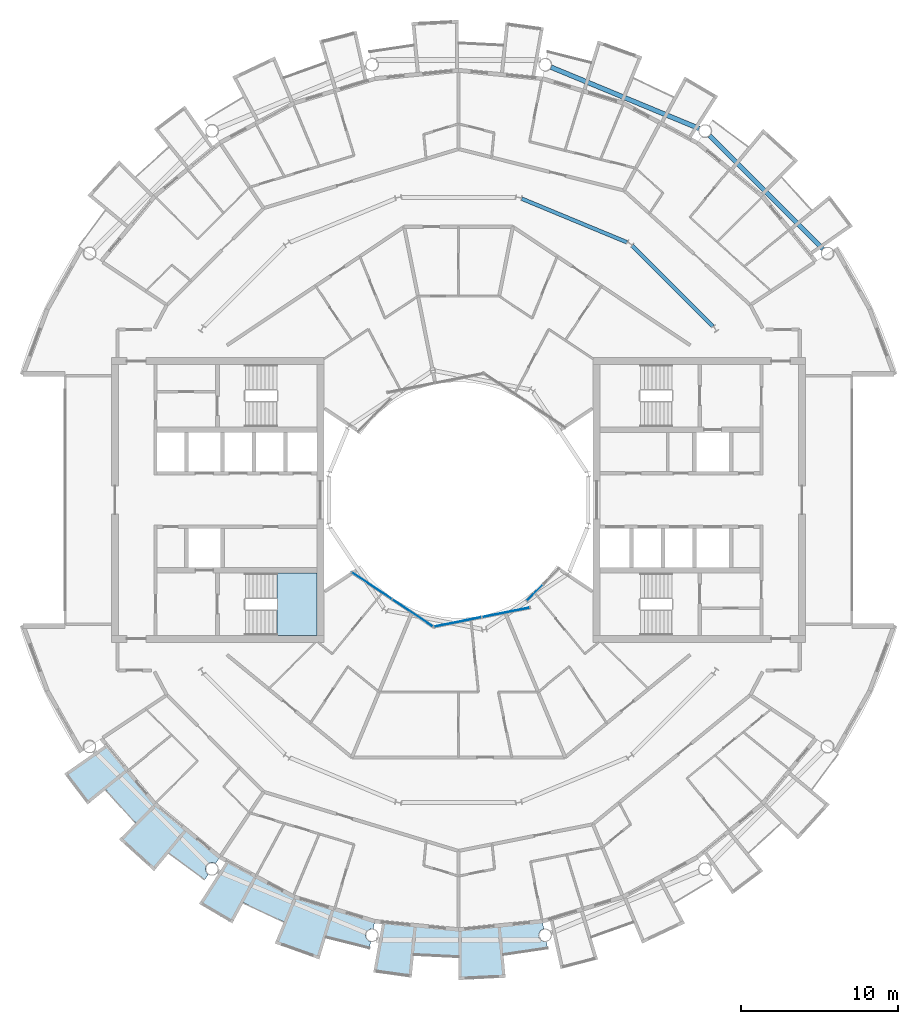
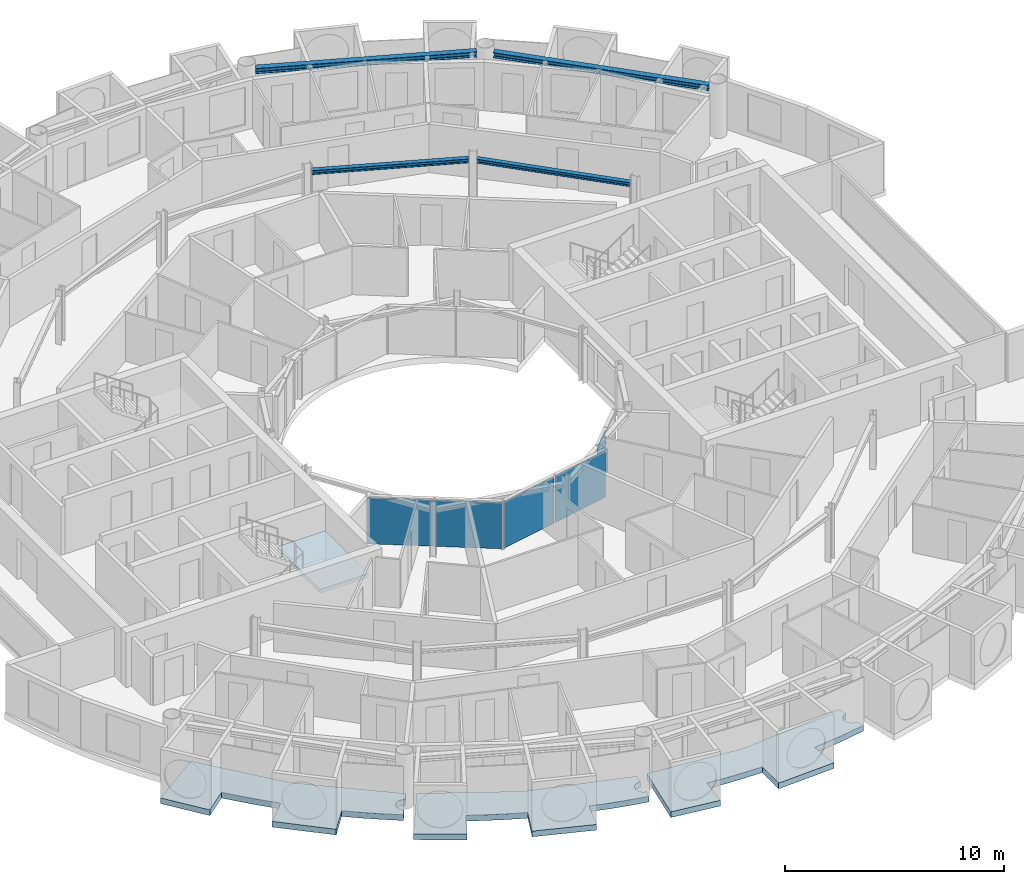
# One storey, part 11 of 27: 5 plates, 4 beams, 4 slabs, 4 elements without a shape of their own.
"""IFC4 building model written with IfcOpenShell, lengths in metres."""

from ifc_helpers import new_model, si_unit, direction, frame, origin, origin_2d, place, context, subcontext, project, spatial, polyline, rectangle, i_section, outline, extrude, material, layer, layer_set, material_profile, profile_set, type_object, element, aggregate, save


model = new_model("IFC4")

# Units and contexts
model_context = context("Model", 3, precision=1e-05, world=origin(), true_north=direction((0.0, 1.0)))
body_context = subcontext(model_context, "Body", "Model", "MODEL_VIEW")
ifc_project = project(units=[si_unit("LENGTHUNIT", "METRE"), si_unit("AREAUNIT", "SQUARE_METRE"), si_unit("VOLUMEUNIT", "CUBIC_METRE"), si_unit("PLANEANGLEUNIT", "RADIAN"), si_unit("MASSUNIT", "GRAM", prefix="KILO")], contexts=[model_context])

# Site, building, storey
site_placement = place(None, origin())
site = spatial("IfcSite", under=ifc_project, at=site_placement, CompositionType="ELEMENT")
building_placement = place(site_placement, origin())
building = spatial("IfcBuilding", under=site, at=building_placement, Name="Maasbend Ring Residences", CompositionType="ELEMENT")
storey_placement = place(building_placement, frame((0.0, 0.0, 199.35009765625)))
storey = spatial("IfcBuildingStorey", under=building, at=storey_placement, Name="L57", CompositionType="ELEMENT", Elevation=199.35009765625)

# Beams
ifc_material_1 = material(Name="Steel S355J2", Category="steel")
ifc_material_profile_1 = material_profile(ifc_material_1, i_section(OverallWidth=0.239990234375, OverallDepth=0.22998046875, WebThickness=0.007568359375, FlangeThickness=0.011962890625, FilletRadius=0.02099609375, at=origin_2d()), Name="HEA 240")
ifc_profile_set_1 = profile_set([ifc_material_profile_1], Name="Steel S355J2")
beam_type_1 = type_object("IfcBeamType", Name="Corridor ring beam HEA 240", PredefinedType="BEAM", material=ifc_profile_set_1)
beam_1_placement = place(storey_placement, frame((16.152587890625, 11.033447265625, 2.5849609375), z_axis=(-0.707106781187, 0.707106781187, 0.0), x_axis=(-0.707106781187, -0.707106781187, 0.0)))
element("IfcBeam", 1, at=beam_1_placement, inside=storey, type_object=beam_type_1, Name="Corridor ring beam", PredefinedType="BEAM", context=body_context, shape_type="SweptSolid", body=[
    extrude(i_section(OverallWidth=0.239990234375, OverallDepth=0.22998046875, WebThickness=0.007568359375, FlangeThickness=0.011962890625, FilletRadius=0.02099609375, at=origin_2d()), origin(), (0.0, 0.0, 1.0), 7.239501953125),
])
beam_2_placement = place(storey_placement, frame((10.70068359375, 16.374755859375, 2.5849609375), z_axis=(-0.923865162022, 0.382718123952, 0.0), x_axis=(-0.382718123952, -0.923865162022, 0.0)))
element("IfcBeam", 2, at=beam_2_placement, inside=storey, type_object=beam_type_1, Name="Corridor ring beam", PredefinedType="BEAM", context=body_context, shape_type="SweptSolid", body=[
    extrude(i_section(OverallWidth=0.239990234375, OverallDepth=0.22998046875, WebThickness=0.007568359375, FlangeThickness=0.011962890625, FilletRadius=0.02099609375, at=origin_2d()), origin(), (0.0, 0.0, 1.0), 7.23974609375),
])
ifc_material_2 = material(Name="Steel S355J2", Category="steel")
ifc_material_profile_2 = material_profile(ifc_material_2, i_section(OverallWidth=0.300048828125, OverallDepth=0.300048828125, WebThickness=0.010986328125, FlangeThickness=0.01904296875, FilletRadius=0.027099609375, at=origin_2d()), Name="HEB 300")
ifc_profile_set_2 = profile_set([ifc_material_profile_2], Name="Steel S355J2")
beam_type_2 = type_object("IfcBeamType", Name="Spandrel ring beam HEB 300", PredefinedType="SPANDREL", material=ifc_profile_set_2)
for number, where, z_axis, x_axis, name in (
    (3, (23.159912109375, 15.95458984375, 2.5498046875), (-0.707106781187, 0.707106781187, 0.0), (-0.707106781187, -0.707106781187, 0.0), "Spandrel ring beam"),
    (4, (15.29150390625, 23.60302734375, 2.5498046875), (-0.923883676188, 0.382673428492, 0.0), (-0.382673428492, -0.923883676188, 0.0), "Spandrel ring beam"),
):
    element("IfcBeam", number, at=place(storey_placement, frame(where, z_axis=z_axis, x_axis=x_axis)), inside=storey, type_object=beam_type_2, Name=name, PredefinedType="SPANDREL", context=body_context, shape_type="SweptSolid", body=[
        extrude(i_section(OverallWidth=0.300048828125, OverallDepth=0.300048828125, WebThickness=0.010986328125, FlangeThickness=0.01904296875, FilletRadius=0.027099609375, at=origin_2d()), origin(), (0.0, 0.0, 1.0), 10.18994140625),
    ])

# Stair, slab
ifc_material_3 = material(Name="Concrete C40/50", Category="concrete")
stair_type = type_object("IfcStairType", Name="CORE STAIR 18 RISERS", PredefinedType="HALF_TURN_STAIR", material=ifc_material_3)
stair_placement = place(storey_placement, origin())
stair = element("IfcStair", 5, at=stair_placement, inside=storey, type_object=stair_type, Name="L57 Exit stair ST-W1", PredefinedType="HALF_TURN_STAIR")
ifc_material_4 = material(Name="Concrete C40/50", Category="concrete")
ifc_layer_1 = layer(ifc_material_4, 0.199951171875)
ifc_layer_set_1 = layer_set([ifc_layer_1], Name="Concrete C40/50")
slab_type_1 = type_object("IfcSlabType", Name="CORE STAIR LANDING 200", PredefinedType="LANDING", material=ifc_layer_set_1)
slab_1_placement = place(storey_placement, frame((0.0, 0.0, 1.324951171875)))
slab_1 = element("IfcSlab", 6, at=slab_1_placement, type_object=slab_type_1, Name="ST-W1 landing 1", PredefinedType="LANDING", context=body_context, shape_type="SweptSolid", body=[
    extrude(outline(polyline([(-11.550048828125, -8.60009765625), (-9.0, -8.60009765625), (-9.0, -4.64990234375), (-11.550048828125, -4.64990234375), (-11.550048828125, -8.60009765625)])), origin(), (0.0, 0.0, 1.0), 0.199951171875),
])
aggregate(stair, [slab_1])

# Curtain wall, plates
ifc_material_5 = material(Name="Aluminium and clear glass", Category="aluminium")
ifc_layer_2 = layer(ifc_material_5, 0.179931640625)
ifc_layer_set_2 = layer_set([ifc_layer_2], Name="CW-W")
curtain_wall_type = type_object("IfcCurtainWallType", Name="CW-W", PredefinedType="NOTDEFINED", material=ifc_layer_set_2)
curtain_wall_1_placement = place(storey_placement, origin())
curtain_wall_1 = element("IfcCurtainWall", 7, at=curtain_wall_1_placement, inside=storey, type_object=curtain_wall_type, Name="Well curtain wall S1", PredefinedType="NOTDEFINED")
ifc_material_6 = material(Name="Glass clear laminated", Category="glass")
ifc_layer_3 = layer(ifc_material_6, 0.031982421875)
ifc_layer_set_3 = layer_set([ifc_layer_3], Name="CWP-W")
plate_type = type_object("IfcPlateType", Name="CWP-W", PredefinedType="CURTAIN_PANEL", material=ifc_layer_set_3)
plate_1_placement = place(storey_placement, frame((-5.51123046875, -5.44580078125, -0.000244140625), z_axis=(0.0, 0.0, 1.0), x_axis=(0.831469612303, -0.55557023302, 0.0)))
plate_1 = element("IfcPlate", 8, at=plate_1_placement, type_object=plate_type, Name="Glass panel well face", PredefinedType="CURTAIN_PANEL", context=body_context, shape_type="SweptSolid", body=[
    extrude(rectangle(XDim=3.053955078125, YDim=0.031982421875, at=origin_2d()), origin(), (0.0, 0.0, 1.0), 2.580078125),
])
plate_2_placement = place(storey_placement, frame((-2.922119140625, -7.17578125, -0.000244140625), z_axis=(0.0, 0.0, 1.0), x_axis=(0.831469612303, -0.55557023302, 0.0)))
plate_2 = element("IfcPlate", 9, at=plate_2_placement, type_object=plate_type, Name="Glass panel well face", PredefinedType="CURTAIN_PANEL", context=body_context, shape_type="SweptSolid", body=[
    extrude(rectangle(XDim=3.053955078125, YDim=0.031982421875, at=origin_2d()), origin(), (0.0, 0.0, 1.0), 2.580078125),
])
aggregate(curtain_wall_1, [plate_1, plate_2])

curtain_wall_2_placement = place(storey_placement, origin())
curtain_wall_2 = element("IfcCurtainWall", 10, at=curtain_wall_2_placement, inside=storey, type_object=curtain_wall_type, Name="Well curtain wall S2", PredefinedType="NOTDEFINED")
plate_3_placement = place(storey_placement, frame((-0.04638671875, -7.747802734375, -0.000244140625), z_axis=(0.0, 0.0, 1.0), x_axis=(0.980785280403, 0.195090322016, 0.0)))
plate_3 = element("IfcPlate", 11, at=plate_3_placement, type_object=plate_type, Name="Glass panel well face", PredefinedType="CURTAIN_PANEL", context=body_context, shape_type="SweptSolid", body=[
    extrude(rectangle(XDim=3.053955078125, YDim=0.031982421875, at=origin_2d()), origin(), (0.0, 0.0, 1.0), 2.580078125),
])
plate_4_placement = place(storey_placement, frame((3.0078125, -7.140380859375, -0.000244140625), z_axis=(0.0, 0.0, 1.0), x_axis=(0.980785280403, 0.195090322016, 0.0)))
plate_4 = element("IfcPlate", 12, at=plate_4_placement, type_object=plate_type, Name="Glass panel well face", PredefinedType="CURTAIN_PANEL", context=body_context, shape_type="SweptSolid", body=[
    extrude(rectangle(XDim=3.053955078125, YDim=0.031982421875, at=origin_2d()), origin(), (0.0, 0.0, 1.0), 2.580078125),
])
aggregate(curtain_wall_2, [plate_3, plate_4])

# Curtain wall, plate
curtain_wall_3_placement = place(storey_placement, origin())
curtain_wall_3 = element("IfcCurtainWall", 13, at=curtain_wall_3_placement, inside=storey, type_object=curtain_wall_type, Name="Well curtain wall S3", PredefinedType="NOTDEFINED")
plate_5_placement = place(storey_placement, frame((4.84375, -5.89013671875, -0.000244140625), z_axis=(0.0, 0.0, 1.0), x_axis=(0.707106781187, 0.707106781187, 0.0)))
plate_5 = element("IfcPlate", 14, at=plate_5_placement, type_object=plate_type, Name="Glass panel well face", PredefinedType="CURTAIN_PANEL", context=body_context, shape_type="SweptSolid", body=[
    extrude(rectangle(XDim=1.419677734375, YDim=0.031982421875, at=origin_2d()), origin(), (0.0, 0.0, 1.0), 2.580078125),
])
aggregate(curtain_wall_3, [plate_5])

# Slabs
ifc_material_7 = material(Name="Concrete C40/50", Category="concrete")
ifc_layer_4 = layer(ifc_material_7, 0.199951171875)
ifc_layer_set_4 = layer_set([ifc_layer_4], Name="Concrete C40/50")
slab_type_2 = type_object("IfcSlabType", Name="SL-LOGGIA", PredefinedType="FLOOR", material=ifc_layer_set_4)
slab_2_placement = place(storey_placement, frame((0.0, 0.0, -0.35009765625)))
element("IfcSlab", 15, at=slab_2_placement, inside=storey, type_object=slab_type_2, Name="Loggia floor 2", PredefinedType="FLOOR", context=body_context, shape_type="SweptSolid", body=[
    extrude(outline(polyline([(-12.806884765625, -23.9609375), (-10.447021484375, -25.221923828125), (-10.447021484375, -25.221923828125), (-10.447021484375, -25.221923828125), (-7.886962890625, -25.9990234375), (-5.325927734375, -26.77490234375), (-5.325927734375, -26.77490234375), (-5.325927734375, -26.77490234375), (-5.422119140625, -27.259033203125), (-5.431884765625, -27.258056640625), (-5.44189453125, -27.256103515625), (-5.451904296875, -27.2548828125), (-5.4619140625, -27.25390625), (-5.471923828125, -27.2529296875), (-5.48193359375, -27.251953125), (-5.491943359375, -27.251953125), (-5.501953125, -27.251953125), (-5.510986328125, -27.251953125), (-5.52099609375, -27.251953125), (-5.531005859375, -27.2529296875), (-5.541015625, -27.25390625), (-5.551025390625, -27.2548828125), (-5.56103515625, -27.256103515625), (-5.571044921875, -27.258056640625), (-5.5810546875, -27.259033203125), (-5.591064453125, -27.260986328125), (-5.60009765625, -27.263916015625), (-5.610107421875, -27.26611328125), (-5.6201171875, -27.26904296875), (-5.62890625, -27.27197265625), (-5.637939453125, -27.27490234375), (-5.64794921875, -27.279052734375), (-5.656982421875, -27.282958984375), (-5.666015625, -27.285888671875), (-5.675048828125, -27.291015625), (-5.68408203125, -27.294921875), (-5.693115234375, -27.300048828125), (-5.701904296875, -27.303955078125), (-5.7099609375, -27.30908203125), (-5.718994140625, -27.31494140625), (-5.72705078125, -27.320068359375), (-5.736083984375, -27.325927734375), (-5.743896484375, -27.33203125), (-5.751953125, -27.337890625), (-5.759033203125, -27.343994140625), (-5.76708984375, -27.35009765625), (-5.77392578125, -27.35693359375), (-5.781982421875, -27.364013671875), (-5.7890625, -27.37109375), (-5.7958984375, -27.3779296875), (-5.802978515625, -27.385009765625), (-5.80908203125, -27.39306640625), (-5.81591796875, -27.39990234375), (-5.822021484375, -27.407958984375), (-5.827880859375, -27.416015625), (-5.833984375, -27.424072265625), (-5.839111328125, -27.431884765625), (-5.844970703125, -27.44091796875), (-5.85009765625, -27.448974609375), (-5.85498046875, -27.4580078125), (-5.860107421875, -27.466064453125), (-5.864990234375, -27.47509765625), (-5.868896484375, -27.48388671875), (-5.873046875, -27.492919921875), (-5.876953125, -27.5029296875), (-5.881103515625, -27.511962890625), (-5.884033203125, -27.52099609375), (-5.886962890625, -27.531005859375), (-5.889892578125, -27.5400390625), (-5.89306640625, -27.550048828125), (-5.89599609375, -27.55908203125), (-5.89794921875, -27.569091796875), (-5.89990234375, -27.5791015625), (-5.902099609375, -27.589111328125), (-5.904052734375, -27.597900390625), (-5.905029296875, -27.60791015625), (-5.906005859375, -27.617919921875), (-5.906982421875, -27.6279296875), (-5.907958984375, -27.637939453125), (-5.907958984375, -27.64794921875), (-5.907958984375, -27.657958984375), (-5.907958984375, -27.66796875), (-5.907958984375, -27.677978515625), (-5.906982421875, -27.68798828125), (-5.906005859375, -27.697998046875), (-5.905029296875, -27.7080078125), (-5.904052734375, -27.718017578125), (-5.902099609375, -27.72802734375), (-5.89990234375, -27.737060546875), (-5.89794921875, -27.7470703125), (-5.89599609375, -27.757080078125), (-5.89306640625, -27.76708984375), (-5.889892578125, -27.77587890625), (-5.886962890625, -27.785888671875), (-5.884033203125, -27.794921875), (-5.881103515625, -27.803955078125), (-5.876953125, -27.81396484375), (-5.873046875, -27.822998046875), (-5.868896484375, -27.83203125), (-5.864990234375, -27.841064453125), (-5.860107421875, -27.85009765625), (-5.85498046875, -27.85791015625), (-5.85009765625, -27.866943359375), (-5.844970703125, -27.8759765625), (-5.839111328125, -27.884033203125), (-5.833984375, -27.89208984375), (-5.827880859375, -27.89990234375), (-5.822021484375, -27.907958984375), (-5.81591796875, -27.916015625), (-5.80908203125, -27.924072265625), (-5.802978515625, -27.930908203125), (-5.7958984375, -27.93798828125), (-5.7890625, -27.946044921875), (-5.781982421875, -27.952880859375), (-5.77392578125, -27.958984375), (-5.76708984375, -27.966064453125), (-5.759033203125, -27.971923828125), (-5.751953125, -27.97900390625), (-5.743896484375, -27.985107421875), (-5.736083984375, -27.989990234375), (-5.72705078125, -27.99609375), (-5.718994140625, -28.001953125), (-5.7099609375, -28.007080078125), (-5.701904296875, -28.011962890625), (-5.693115234375, -28.01708984375), (-5.68408203125, -28.02099609375), (-5.675048828125, -28.02587890625), (-5.666015625, -28.030029296875), (-5.656982421875, -28.033935546875), (-5.64794921875, -28.037109375), (-5.637939453125, -28.041015625), (-5.62890625, -28.0439453125), (-5.6201171875, -28.047119140625), (-5.610107421875, -28.050048828125), (-5.60009765625, -28.052001953125), (-5.591064453125, -28.054931640625), (-5.5810546875, -28.056884765625), (-5.657958984375, -28.443115234375), (-5.657958984375, -28.443115234375), (-5.657958984375, -28.443115234375), (-6.5849609375, -28.241943359375), (-6.5849609375, -28.241943359375), (-7.506103515625, -28.011962890625), (-7.506103515625, -28.011962890625), (-8.41796875, -27.7509765625), (-8.41796875, -27.7509765625), (-8.41796875, -27.7509765625), (-8.41796875, -27.7509765625), (-8.41796875, -27.7509765625), (-8.41796875, -27.7509765625), (-8.41796875, -27.7509765625), (-8.41796875, -27.7509765625), (-8.41796875, -27.7509765625), (-8.41796875, -27.7509765625), (-8.41796875, -27.751953125), (-8.41796875, -27.751953125), (-8.41796875, -27.751953125), (-8.41796875, -27.751953125), (-8.41796875, -27.751953125), (-8.41796875, -27.751953125), (-8.41796875, -27.751953125), (-8.85400390625, -29.18701171875), (-8.85400390625, -29.18701171875), (-8.85400390625, -29.18701171875), (-11.672119140625, -28.177978515625), (-11.672119140625, -28.177978515625), (-11.672119140625, -28.177978515625), (-11.097900390625, -26.79296875), (-11.097900390625, -26.79296875), (-11.097900390625, -26.79296875), (-11.097900390625, -26.79296875), (-11.097900390625, -26.79296875), (-11.097900390625, -26.79296875), (-11.097900390625, -26.79296875), (-11.097900390625, -26.79296875), (-11.097900390625, -26.79296875), (-11.097900390625, -26.79296875), (-11.097900390625, -26.7919921875), (-11.097900390625, -26.7919921875), (-11.097900390625, -26.7919921875), (-11.097900390625, -26.7919921875), (-11.097900390625, -26.7919921875), (-11.097900390625, -26.7919921875), (-11.097900390625, -26.7919921875), (-11.968994140625, -26.4150390625), (-11.968994140625, -26.4150390625), (-12.825927734375, -26.009033203125), (-12.825927734375, -26.009033203125), (-13.669921875, -25.575927734375), (-13.669921875, -25.575927734375), (-13.669921875, -25.575927734375), (-13.669921875, -25.575927734375), (-13.669921875, -25.575927734375), (-13.669921875, -25.575927734375), (-13.669921875, -25.575927734375), (-13.669921875, -25.575927734375), (-13.669921875, -25.575927734375), (-13.669921875, -25.575927734375), (-13.6708984375, -25.575927734375), (-13.6708984375, -25.575927734375), (-13.6708984375, -25.575927734375), (-13.6708984375, -25.575927734375), (-13.6708984375, -25.575927734375), (-13.6708984375, -25.575927734375), (-13.6708984375, -25.575927734375), (-14.3779296875, -26.89892578125), (-14.3779296875, -26.89892578125), (-14.3779296875, -26.89892578125), (-16.487060546875, -25.659912109375), (-16.487060546875, -25.659912109375), (-16.487060546875, -25.659912109375), (-14.73291015625, -22.930908203125), (-14.73291015625, -22.930908203125), (-14.73291015625, -22.930908203125), (-12.806884765625, -23.9609375)])), origin(), (0.0, 0.0, 1.0), 0.320068359375),
])
slab_3_placement = place(storey_placement, frame((0.0, 0.0, -0.35009765625)))
element("IfcSlab", 16, at=slab_3_placement, inside=storey, type_object=slab_type_2, Name="Loggia floor 3", PredefinedType="FLOOR", context=body_context, shape_type="SweptSolid", body=[
    extrude(outline(polyline([(-2.6630859375, -27.0380859375), (0.0, -27.300048828125), (0.0, -27.300048828125), (0.0, -27.300048828125), (2.6630859375, -27.0380859375), (5.325927734375, -26.77490234375), (5.325927734375, -26.77490234375), (5.325927734375, -26.77490234375), (5.422119140625, -27.259033203125), (5.422119140625, -27.259033203125), (5.412109375, -27.260986328125), (5.403076171875, -27.263916015625), (5.39306640625, -27.26611328125), (5.383056640625, -27.26904296875), (5.3740234375, -27.27197265625), (5.364990234375, -27.27490234375), (5.35498046875, -27.279052734375), (5.345947265625, -27.282958984375), (5.3369140625, -27.285888671875), (5.327880859375, -27.291015625), (5.319091796875, -27.294921875), (5.31005859375, -27.300048828125), (5.301025390625, -27.303955078125), (5.29296875, -27.30908203125), (5.283935546875, -27.31494140625), (5.27587890625, -27.320068359375), (5.26708984375, -27.325927734375), (5.259033203125, -27.33203125), (5.2509765625, -27.337890625), (5.243896484375, -27.343994140625), (5.236083984375, -27.35009765625), (5.22900390625, -27.35693359375), (5.220947265625, -27.364013671875), (5.214111328125, -27.37109375), (5.20703125, -27.3779296875), (5.199951171875, -27.385009765625), (5.194091796875, -27.39306640625), (5.18701171875, -27.39990234375), (5.180908203125, -27.407958984375), (5.175048828125, -27.416015625), (5.1689453125, -27.424072265625), (5.1640625, -27.431884765625), (5.157958984375, -27.44091796875), (5.153076171875, -27.448974609375), (5.14794921875, -27.4580078125), (5.14306640625, -27.466064453125), (5.137939453125, -27.47509765625), (5.134033203125, -27.48388671875), (5.1298828125, -27.492919921875), (5.1259765625, -27.5029296875), (5.1220703125, -27.511962890625), (5.118896484375, -27.52099609375), (5.115966796875, -27.531005859375), (5.113037109375, -27.5400390625), (5.110107421875, -27.550048828125), (5.10693359375, -27.55908203125), (5.10498046875, -27.569091796875), (5.10302734375, -27.5791015625), (5.10107421875, -27.589111328125), (5.09912109375, -27.597900390625), (5.097900390625, -27.60791015625), (5.096923828125, -27.617919921875), (5.095947265625, -27.6279296875), (5.094970703125, -27.637939453125), (5.094970703125, -27.64794921875), (5.094970703125, -27.657958984375), (5.094970703125, -27.66796875), (5.094970703125, -27.677978515625), (5.095947265625, -27.68798828125), (5.096923828125, -27.697998046875), (5.097900390625, -27.7080078125), (5.09912109375, -27.718017578125), (5.10107421875, -27.72802734375), (5.10302734375, -27.737060546875), (5.10498046875, -27.7470703125), (5.10693359375, -27.757080078125), (5.110107421875, -27.76708984375), (5.113037109375, -27.77587890625), (5.115966796875, -27.785888671875), (5.118896484375, -27.794921875), (5.1220703125, -27.803955078125), (5.1259765625, -27.81396484375), (5.1298828125, -27.822998046875), (5.134033203125, -27.83203125), (5.137939453125, -27.841064453125), (5.14306640625, -27.85009765625), (5.14794921875, -27.85791015625), (5.153076171875, -27.866943359375), (5.157958984375, -27.8759765625), (5.1640625, -27.884033203125), (5.1689453125, -27.89208984375), (5.175048828125, -27.89990234375), (5.180908203125, -27.907958984375), (5.18701171875, -27.916015625), (5.194091796875, -27.924072265625), (5.199951171875, -27.930908203125), (5.20703125, -27.93798828125), (5.214111328125, -27.946044921875), (5.220947265625, -27.952880859375), (5.22900390625, -27.958984375), (5.236083984375, -27.966064453125), (5.243896484375, -27.971923828125), (5.2509765625, -27.97900390625), (5.259033203125, -27.985107421875), (5.26708984375, -27.989990234375), (5.27587890625, -27.99609375), (5.283935546875, -28.001953125), (5.29296875, -28.007080078125), (5.301025390625, -28.011962890625), (5.31005859375, -28.01708984375), (5.319091796875, -28.02099609375), (5.327880859375, -28.02587890625), (5.3369140625, -28.030029296875), (5.345947265625, -28.033935546875), (5.35498046875, -28.037109375), (5.364990234375, -28.041015625), (5.3740234375, -28.0439453125), (5.383056640625, -28.047119140625), (5.39306640625, -28.050048828125), (5.403076171875, -28.052001953125), (5.412109375, -28.054931640625), (5.422119140625, -28.056884765625), (5.431884765625, -28.05908203125), (5.44189453125, -28.06005859375), (5.451904296875, -28.06201171875), (5.4619140625, -28.06298828125), (5.471923828125, -28.06298828125), (5.48193359375, -28.06396484375), (5.491943359375, -28.06396484375), (5.501953125, -28.06494140625), (5.510986328125, -28.06396484375), (5.52099609375, -28.06396484375), (5.531005859375, -28.06298828125), (5.541015625, -28.06298828125), (5.551025390625, -28.06201171875), (5.56103515625, -28.06005859375), (5.571044921875, -28.05908203125), (5.5810546875, -28.056884765625), (5.5810546875, -28.056884765625), (5.657958984375, -28.443115234375), (5.657958984375, -28.443115234375), (5.657958984375, -28.443115234375), (4.72412109375, -28.613037109375), (4.72412109375, -28.613037109375), (3.784912109375, -28.751953125), (3.784912109375, -28.751953125), (2.843017578125, -28.860107421875), (2.843017578125, -28.860107421875), (2.843017578125, -28.860107421875), (2.843017578125, -28.860107421875), (2.843017578125, -28.860107421875), (2.843017578125, -28.860107421875), (2.843017578125, -28.860107421875), (2.843017578125, -28.860107421875), (2.843017578125, -28.860107421875), (2.843017578125, -28.861083984375), (2.843017578125, -28.861083984375), (2.843017578125, -28.861083984375), (2.843017578125, -28.861083984375), (2.843017578125, -28.861083984375), (2.843017578125, -28.861083984375), (2.843017578125, -28.861083984375), (2.843017578125, -28.861083984375), (2.989990234375, -30.35302734375), (2.989990234375, -30.35302734375), (2.989990234375, -30.35302734375), (0.0, -30.5), (0.0, -30.5), (0.0, -30.5), (0.0, -29.0), (0.0, -29.0), (0.0, -29.0), (0.0, -29.0), (0.0, -29.0), (0.0, -29.0), (0.0, -29.0), (0.0, -29.0), (0.0, -29.0), (0.0, -29.0), (0.0, -29.0), (0.0, -29.0), (0.0, -29.0), (0.0, -29.0), (0.0, -29.0), (0.0, -29.0), (0.0, -29.0), (-0.948974609375, -28.98388671875), (-0.948974609375, -28.98388671875), (-1.89697265625, -28.93798828125), (-1.89697265625, -28.93798828125), (-2.842041015625, -28.860107421875), (-2.842041015625, -28.860107421875), (-2.842041015625, -28.860107421875), (-2.842041015625, -28.860107421875), (-2.842041015625, -28.860107421875), (-2.842041015625, -28.860107421875), (-2.842041015625, -28.860107421875), (-2.842041015625, -28.860107421875), (-2.842041015625, -28.861083984375), (-2.842041015625, -28.861083984375), (-2.842041015625, -28.861083984375), (-2.842041015625, -28.861083984375), (-2.842041015625, -28.861083984375), (-2.843017578125, -28.861083984375), (-2.843017578125, -28.861083984375), (-2.843017578125, -28.861083984375), (-2.843017578125, -28.861083984375), (-2.989990234375, -30.35302734375), (-2.989990234375, -30.35302734375), (-2.989990234375, -30.35302734375), (-5.412109375, -30.01611328125), (-5.412109375, -30.01611328125), (-5.412109375, -30.01611328125), (-4.8359375, -26.823974609375), (-4.8359375, -26.823974609375), (-4.8359375, -26.823974609375), (-2.6630859375, -27.0380859375)])), origin(), (0.0, 0.0, 1.0), 0.320068359375),
])
slab_4_placement = place(storey_placement, frame((0.0, 0.0, -0.35009765625)))
element("IfcSlab", 17, at=slab_4_placement, inside=storey, type_object=slab_type_2, Name="Loggia floor 5", PredefinedType="FLOOR", context=body_context, shape_type="SweptSolid", body=[
    extrude(outline(polyline([(-21.001953125, -17.236083984375), (-19.303955078125, -19.303955078125), (-19.303955078125, -19.303955078125), (-19.303955078125, -19.303955078125), (-17.236083984375, -21.001953125), (-15.1669921875, -22.698974609375), (-15.1669921875, -22.698974609375), (-15.1669921875, -22.698974609375), (-15.44091796875, -23.10888671875), (-15.44091796875, -23.10888671875), (-15.449951171875, -23.10400390625), (-15.4580078125, -23.09912109375), (-15.467041015625, -23.093994140625), (-15.47509765625, -23.089111328125), (-15.48388671875, -23.083984375), (-15.492919921875, -23.080078125), (-15.501953125, -23.075927734375), (-15.511962890625, -23.072021484375), (-15.52099609375, -23.068115234375), (-15.530029296875, -23.06494140625), (-15.5400390625, -23.06103515625), (-15.549072265625, -23.05810546875), (-15.55908203125, -23.055908203125), (-15.568115234375, -23.052978515625), (-15.577880859375, -23.051025390625), (-15.587890625, -23.049072265625), (-15.597900390625, -23.047119140625), (-15.60693359375, -23.044921875), (-15.616943359375, -23.0439453125), (-15.626953125, -23.04296875), (-15.636962890625, -23.0419921875), (-15.64697265625, -23.041015625), (-15.656982421875, -23.041015625), (-15.6669921875, -23.041015625), (-15.677001953125, -23.041015625), (-15.68701171875, -23.041015625), (-15.697021484375, -23.0419921875), (-15.70703125, -23.04296875), (-15.717041015625, -23.0439453125), (-15.72705078125, -23.044921875), (-15.737060546875, -23.047119140625), (-15.74609375, -23.049072265625), (-15.756103515625, -23.051025390625), (-15.76611328125, -23.052978515625), (-15.77587890625, -23.055908203125), (-15.784912109375, -23.05810546875), (-15.794921875, -23.06103515625), (-15.803955078125, -23.06494140625), (-15.81298828125, -23.068115234375), (-15.822998046875, -23.072021484375), (-15.83203125, -23.075927734375), (-15.841064453125, -23.080078125), (-15.85009765625, -23.083984375), (-15.85888671875, -23.089111328125), (-15.866943359375, -23.093994140625), (-15.8759765625, -23.09912109375), (-15.885009765625, -23.10400390625), (-15.89306640625, -23.10888671875), (-15.90087890625, -23.114990234375), (-15.908935546875, -23.12109375), (-15.9169921875, -23.126953125), (-15.925048828125, -23.133056640625), (-15.93310546875, -23.139892578125), (-15.93994140625, -23.14599609375), (-15.947021484375, -23.153076171875), (-15.955078125, -23.159912109375), (-15.9619140625, -23.1669921875), (-15.968017578125, -23.174072265625), (-15.97509765625, -23.181884765625), (-15.98095703125, -23.18994140625), (-15.988037109375, -23.197021484375), (-15.993896484375, -23.205078125), (-15.9990234375, -23.212890625), (-16.0048828125, -23.221923828125), (-16.010986328125, -23.22998046875), (-16.01611328125, -23.238037109375), (-16.02099609375, -23.2470703125), (-16.02587890625, -23.256103515625), (-16.030029296875, -23.264892578125), (-16.034912109375, -23.27392578125), (-16.0390625, -23.282958984375), (-16.04296875, -23.2919921875), (-16.0458984375, -23.301025390625), (-16.050048828125, -23.31005859375), (-16.052978515625, -23.320068359375), (-16.055908203125, -23.3291015625), (-16.05908203125, -23.339111328125), (-16.06103515625, -23.34912109375), (-16.06396484375, -23.35791015625), (-16.06591796875, -23.367919921875), (-16.068115234375, -23.3779296875), (-16.069091796875, -23.387939453125), (-16.071044921875, -23.39794921875), (-16.072021484375, -23.407958984375), (-16.072021484375, -23.4169921875), (-16.072998046875, -23.427001953125), (-16.072998046875, -23.43701171875), (-16.073974609375, -23.447021484375), (-16.072998046875, -23.45703125), (-16.072998046875, -23.467041015625), (-16.072021484375, -23.47705078125), (-16.072021484375, -23.487060546875), (-16.071044921875, -23.4970703125), (-16.069091796875, -23.507080078125), (-16.068115234375, -23.51708984375), (-16.06591796875, -23.527099609375), (-16.06396484375, -23.535888671875), (-16.06103515625, -23.5458984375), (-16.05908203125, -23.555908203125), (-16.055908203125, -23.56494140625), (-16.052978515625, -23.574951171875), (-16.050048828125, -23.583984375), (-16.0458984375, -23.593994140625), (-16.04296875, -23.60302734375), (-16.0390625, -23.612060546875), (-16.034912109375, -23.62109375), (-16.030029296875, -23.6298828125), (-16.02587890625, -23.638916015625), (-16.02099609375, -23.64794921875), (-16.01611328125, -23.656005859375), (-16.010986328125, -23.6650390625), (-16.0048828125, -23.673095703125), (-15.9990234375, -23.680908203125), (-15.993896484375, -23.68994140625), (-15.988037109375, -23.697021484375), (-15.98095703125, -23.705078125), (-15.97509765625, -23.712890625), (-15.968017578125, -23.719970703125), (-15.9619140625, -23.72802734375), (-15.955078125, -23.735107421875), (-15.947021484375, -23.741943359375), (-15.93994140625, -23.7490234375), (-15.93310546875, -23.7548828125), (-15.925048828125, -23.761962890625), (-15.9169921875, -23.76806640625), (-15.908935546875, -23.77392578125), (-15.90087890625, -23.780029296875), (-15.89306640625, -23.784912109375), (-15.89306640625, -23.784912109375), (-16.112060546875, -24.113037109375), (-16.112060546875, -24.113037109375), (-16.112060546875, -24.113037109375), (-16.89208984375, -23.572998046875), (-16.89208984375, -23.572998046875), (-17.654052734375, -23.007080078125), (-17.654052734375, -23.007080078125), (-18.39697265625, -22.41796875), (-18.39697265625, -22.41796875), (-18.39697265625, -22.41796875), (-18.39697265625, -22.41796875), (-18.39697265625, -22.41796875), (-18.39697265625, -22.41796875), (-18.39697265625, -22.41796875), (-18.39697265625, -22.41796875), (-18.39697265625, -22.41796875), (-18.39697265625, -22.41796875), (-18.39697265625, -22.41796875), (-18.39794921875, -22.41796875), (-18.39794921875, -22.41796875), (-18.39794921875, -22.41796875), (-18.39794921875, -22.41796875), (-18.39794921875, -22.41796875), (-18.39794921875, -22.41796875), (-19.34912109375, -23.576904296875), (-19.34912109375, -23.576904296875), (-19.34912109375, -23.576904296875), (-21.56689453125, -21.56689453125), (-21.56689453125, -21.56689453125), (-21.56689453125, -21.56689453125), (-20.506103515625, -20.506103515625), (-20.506103515625, -20.506103515625), (-20.506103515625, -20.506103515625), (-20.506103515625, -20.506103515625), (-20.506103515625, -20.506103515625), (-20.506103515625, -20.506103515625), (-20.506103515625, -20.506103515625), (-20.506103515625, -20.506103515625), (-20.506103515625, -20.506103515625), (-20.506103515625, -20.506103515625), (-20.506103515625, -20.506103515625), (-20.506103515625, -20.506103515625), (-20.506103515625, -20.506103515625), (-20.506103515625, -20.506103515625), (-20.506103515625, -20.506103515625), (-20.506103515625, -20.506103515625), (-20.506103515625, -20.506103515625), (-21.166015625, -19.823974609375), (-21.166015625, -19.823974609375), (-21.802978515625, -19.12109375), (-21.802978515625, -19.12109375), (-22.4169921875, -18.39794921875), (-22.4169921875, -18.39794921875), (-22.4169921875, -18.39794921875), (-22.4169921875, -18.39794921875), (-22.4169921875, -18.39794921875), (-22.4169921875, -18.39794921875), (-22.4169921875, -18.39794921875), (-22.4169921875, -18.39794921875), (-22.4169921875, -18.39794921875), (-22.4169921875, -18.39794921875), (-22.4169921875, -18.39794921875), (-22.4169921875, -18.39794921875), (-22.41796875, -18.39794921875), (-22.41796875, -18.39794921875), (-22.41796875, -18.39794921875), (-22.41796875, -18.39794921875), (-22.41796875, -18.39794921875), (-23.576904296875, -19.34912109375), (-23.576904296875, -19.34912109375), (-23.576904296875, -19.34912109375), (-25.051025390625, -17.39794921875), (-25.051025390625, -17.39794921875), (-25.051025390625, -17.39794921875), (-22.386962890625, -15.547119140625), (-22.386962890625, -15.547119140625), (-22.386962890625, -15.547119140625), (-21.001953125, -17.236083984375)])), origin(), (0.0, 0.0, 1.0), 0.320068359375),
])

save(model, "model.ifc")
